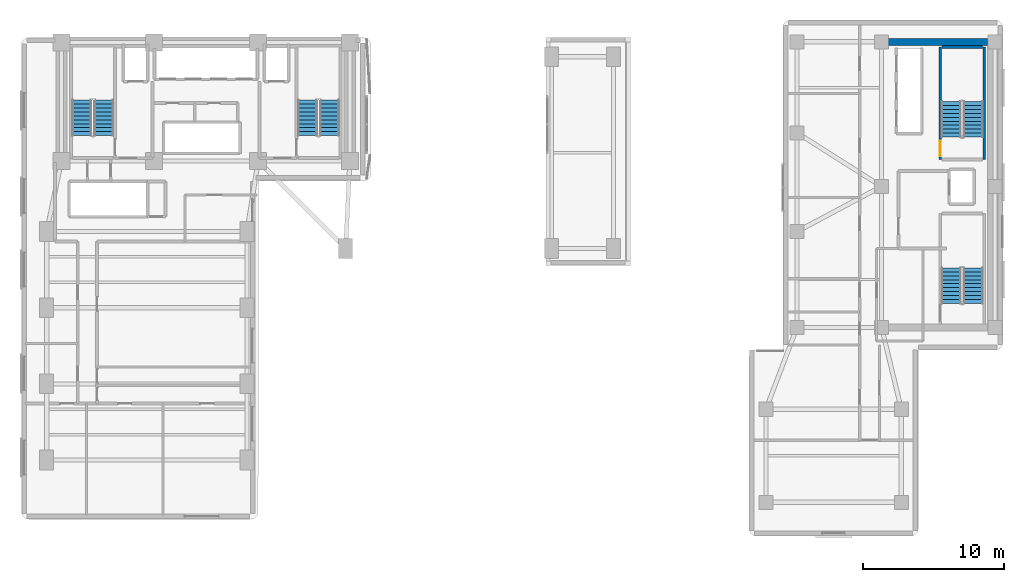
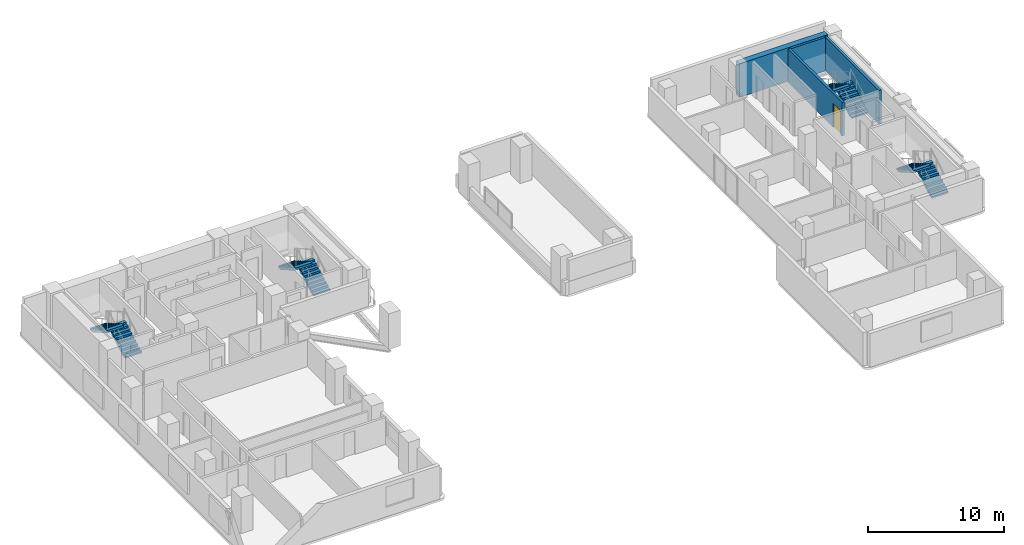
# One storey, part 11 of 14: 8 stair flights, 4 walls, 1 door, 1 opening, 4 elements without a shape of their own.
"""IFC4 building model written with IfcOpenShell, lengths in metres."""

from ifc_helpers import new_model, si_unit, direction, frame, frame_2d, origin, place, context, subcontext, project, spatial, polyline, rectangle, outline, extrude, material, layer, layer_set, type_object, element, fill, aggregate, save


model = new_model("IFC4")

# Units and contexts
model_context = context("Model", 3, precision=1e-05, world=origin(), true_north=direction((0.0, 1.0)))
body_context = subcontext(model_context, "Body", "Model", "MODEL_VIEW")
ifc_project = project(units=[si_unit("LENGTHUNIT", "METRE"), si_unit("AREAUNIT", "SQUARE_METRE"), si_unit("VOLUMEUNIT", "CUBIC_METRE"), si_unit("PLANEANGLEUNIT", "RADIAN"), si_unit("MASSUNIT", "GRAM", prefix="KILO")], contexts=[model_context])

# Site, building, storey
site_placement = place(None, origin())
site = spatial("IfcSite", under=ifc_project, at=site_placement, CompositionType="ELEMENT")
building_placement = place(site_placement, origin())
building = spatial("IfcBuilding", under=site, at=building_placement, Name="Kuzgunbayir Cultural Tower", CompositionType="ELEMENT")
storey_placement = place(building_placement, frame((0.0, 0.0, 33.39990234375)))
storey = spatial("IfcBuildingStorey", under=building, at=storey_placement, Name="L08", CompositionType="ELEMENT", Elevation=33.39990234375)

# Wall, opening, door
ifc_material_1 = material(Name="Concrete C40/50", Category="concrete")
ifc_layer_1 = layer(ifc_material_1, 0.199951171875)
ifc_layer_set_1 = layer_set([ifc_layer_1], Name="Concrete C40/50")
wall_type_1 = type_object("IfcWallType", Name="WAL-STAIR-RC-200", PredefinedType="SHEAR", material=ifc_layer_set_1)
wall_1_placement = place(storey_placement, frame((68.760009765625, 33.919921875, 0.0), z_axis=(0.0, 0.0, 1.0), x_axis=(0.0, 1.0, 0.0)))
wall_1 = element("IfcWall", 1, at=wall_1_placement, inside=storey, type_object=wall_type_1, Name="L08 Stair ST-4 West Structural Wall", PredefinedType="SHEAR", context=body_context, shape_type="SweptSolid", body=[
    extrude(rectangle(XDim=7.9599609375, YDim=0.199951171875, at=frame_2d((3.97998046875, 0.0))), origin(), (0.0, 0.0, 1.0), 3.02001953125),
])
opening_placement = place(wall_1_placement, frame((0.219970703125, 0.0, 0.0)))
opening = element("IfcOpeningElement", 2, at=opening_placement, cuts=wall_1, Name="Opening DR-STAIR-90", PredefinedType="OPENING", context=body_context, shape_type="SweptSolid", body=[
    extrude(rectangle(XDim=1.10009765625, YDim=2.14990234375, at=frame_2d((0.550048828125, 1.074951171875))), frame((0.0, 0.10986328125, 0.0), z_axis=(0.0, -1.0, 0.0), x_axis=(1.0, 0.0, 0.0)), (0.0, 0.0, 1.0), 0.219970703125),
])
ifc_material_2 = material(Name="Steel S355J2", Category="steel")
door_type = type_object("IfcDoorType", Name="DR-STAIR-90", OperationType="NOTDEFINED", PredefinedType="DOOR", material=ifc_material_2)
door_placement = place(opening_placement, origin())
door = element("IfcDoor", 3, at=door_placement, inside=storey, type_object=door_type, Name="L08 Stair ST-4 Fire Door", OperationType="SINGLE_SWING_LEFT", OverallHeight=2.14990234375, OverallWidth=1.10009765625, PredefinedType="DOOR", context=body_context, shape_type="SweptSolid", body=[
    extrude(rectangle(XDim=1.10009765625, YDim=2.14990234375, at=frame_2d((0.550048828125, 1.074951171875))), frame((0.0, 0.02490234375, 0.0), z_axis=(0.0, -1.0, 0.0), x_axis=(1.0, 0.0, 0.0)), (0.0, 0.0, 1.0), 0.050048828125),
])
fill(opening, door)

# Walls
wall_2_placement = place(storey_placement, frame((71.8798828125, 33.919921875, 0.0), z_axis=(0.0, 0.0, 1.0), x_axis=(0.0, 1.0, 0.0)))
element("IfcWall", 4, at=wall_2_placement, inside=storey, type_object=wall_type_1, Name="L08 Stair ST-4 East Structural Wall", PredefinedType="SHEAR", context=body_context, shape_type="SweptSolid", body=[
    extrude(rectangle(XDim=7.9599609375, YDim=0.199951171875, at=frame_2d((3.97998046875, 0.0))), origin(), (0.0, 0.0, 1.0), 3.02001953125),
])
wall_3_placement = place(storey_placement, frame((68.8798828125, 41.8798828125, 0.0), z_axis=(0.0, 0.0, 1.0), x_axis=(1.0, 0.0, 0.0)))
element("IfcWall", 5, at=wall_3_placement, inside=storey, type_object=wall_type_1, Name="L08 Stair ST-4 North Structural Wall", PredefinedType="SHEAR", context=body_context, shape_type="SweptSolid", body=[
    extrude(rectangle(XDim=2.880126953125, YDim=0.199951171875, at=frame_2d((1.43994140625, 0.0))), origin(), (0.0, 0.0, 1.0), 3.02001953125),
])
ifc_material_3 = material(Name="Concrete C60/75", Category="concrete")
ifc_layer_2 = layer(ifc_material_3, 0.5)
ifc_layer_set_2 = layer_set([ifc_layer_2], Name="Concrete C60/75")
wall_type_2 = type_object("IfcWallType", Name="WAL-T2-CORE-500", PredefinedType="SHEAR", material=ifc_layer_set_2)
wall_4_placement = place(storey_placement, frame((64.60009765625, 42.25, 0.0), z_axis=(0.0, 0.0, 1.0), x_axis=(1.0, 0.0, 0.0)))
element("IfcWall", 6, at=wall_4_placement, inside=storey, type_object=wall_type_2, Name="L08 Companion Core North Shear Wall", PredefinedType="SHEAR", context=body_context, shape_type="SweptSolid", body=[
    extrude(rectangle(XDim=7.5, YDim=0.5, at=frame_2d((3.75, 0.0))), origin(), (0.0, 0.0, 1.0), 3.02001953125),
])

# Stair, stair flights
stair_type = type_object("IfcStairType", Name="STR-EXIT-CORE", PredefinedType="HALF_TURN_STAIR", material=ifc_material_1)
stair_1_placement = place(storey_placement, origin())
stair_1 = element("IfcStair", 7, at=stair_1_placement, inside=storey, type_object=stair_type, Name="L08 ST-1", PredefinedType="HALF_TURN_STAIR")
stair_flight_type = type_object("IfcStairFlightType", Name="STRF-RC-140", PredefinedType="STRAIGHT", material=ifc_material_1)
stair_flight_1_placement = place(storey_placement, frame((9.4599609375, 35.60009765625, 0.0), z_axis=(0.0, 0.0, 1.0), x_axis=(0.0, 1.0, 0.0)))
stair_flight_1 = element("IfcStairFlight", 8, at=stair_flight_1_placement, type_object=stair_flight_type, Name="ST-1 flight 1", NumberOfRisers=10, NumberOfTreads=9, PredefinedType="STRAIGHT", RiserHeight=0.16, TreadLength=0.28, context=body_context, shape_type="SweptSolid", body=[
    extrude(outline(polyline([(0.0, 0.0), (0.0, 0.159912109375), (0.280029296875, 0.159912109375), (0.280029296875, 0.320068359375), (0.56005859375, 0.320068359375), (0.56005859375, 0.47998046875), (0.840087890625, 0.47998046875), (0.840087890625, 0.639892578125), (1.1201171875, 0.639892578125), (1.1201171875, 0.800048828125), (1.39990234375, 0.800048828125), (1.39990234375, 0.9599609375), (1.679931640625, 0.9599609375), (1.679931640625, 1.1201171875), (1.9599609375, 1.1201171875), (1.9599609375, 1.280029296875), (2.239990234375, 1.280029296875), (2.239990234375, 1.43994140625), (2.52001953125, 1.43994140625), (2.52001953125, 1.60009765625), (2.52001953125, 1.232666015625), (0.362548828125, 0.0), (0.0, 0.0)])), frame((0.0, 0.699951171875, 0.0), z_axis=(0.0, -1.0, 0.0), x_axis=(1.0, 0.0, 0.0)), (0.0, 0.0, 1.0), 1.39990234375),
])
stair_flight_2_placement = place(storey_placement, frame((7.89990234375, 38.1201171875, 1.60009765625), z_axis=(0.0, 0.0, 1.0), x_axis=(0.0, -1.0, 0.0)))
stair_flight_2 = element("IfcStairFlight", 9, at=stair_flight_2_placement, type_object=stair_flight_type, Name="ST-1 flight 2", NumberOfRisers=10, NumberOfTreads=9, PredefinedType="STRAIGHT", RiserHeight=0.16, TreadLength=0.28, context=body_context, shape_type="SweptSolid", body=[
    extrude(outline(polyline([(0.0, 0.0), (0.0, 0.159912109375), (0.280029296875, 0.159912109375), (0.280029296875, 0.320068359375), (0.56005859375, 0.320068359375), (0.56005859375, 0.47998046875), (0.840087890625, 0.47998046875), (0.840087890625, 0.639892578125), (1.1201171875, 0.639892578125), (1.1201171875, 0.800048828125), (1.39990234375, 0.800048828125), (1.39990234375, 0.9599609375), (1.679931640625, 0.9599609375), (1.679931640625, 1.1201171875), (1.9599609375, 1.1201171875), (1.9599609375, 1.280029296875), (2.239990234375, 1.280029296875), (2.239990234375, 1.43994140625), (2.52001953125, 1.43994140625), (2.52001953125, 1.60009765625), (2.52001953125, 1.232666015625), (0.362548828125, 0.0), (0.0, 0.0)])), frame((0.0, 0.699951171875, 0.0), z_axis=(0.0, -1.0, 0.0), x_axis=(1.0, 0.0, 0.0)), (0.0, 0.0, 1.0), 1.39990234375),
])
aggregate(stair_1, [stair_flight_1, stair_flight_2])

stair_2_placement = place(storey_placement, origin())
stair_2 = element("IfcStair", 10, at=stair_2_placement, inside=storey, type_object=stair_type, Name="L08 ST-2", PredefinedType="HALF_TURN_STAIR")
stair_flight_3_placement = place(storey_placement, frame((25.4599609375, 35.60009765625, 0.0), z_axis=(0.0, 0.0, 1.0), x_axis=(0.0, 1.0, 0.0)))
stair_flight_3 = element("IfcStairFlight", 11, at=stair_flight_3_placement, type_object=stair_flight_type, Name="ST-2 flight 1", NumberOfRisers=10, NumberOfTreads=9, PredefinedType="STRAIGHT", RiserHeight=0.16, TreadLength=0.28, context=body_context, shape_type="SweptSolid", body=[
    extrude(outline(polyline([(0.0, 0.0), (0.0, 0.159912109375), (0.280029296875, 0.159912109375), (0.280029296875, 0.320068359375), (0.56005859375, 0.320068359375), (0.56005859375, 0.47998046875), (0.840087890625, 0.47998046875), (0.840087890625, 0.639892578125), (1.1201171875, 0.639892578125), (1.1201171875, 0.800048828125), (1.39990234375, 0.800048828125), (1.39990234375, 0.9599609375), (1.679931640625, 0.9599609375), (1.679931640625, 1.1201171875), (1.9599609375, 1.1201171875), (1.9599609375, 1.280029296875), (2.239990234375, 1.280029296875), (2.239990234375, 1.43994140625), (2.52001953125, 1.43994140625), (2.52001953125, 1.60009765625), (2.52001953125, 1.232666015625), (0.362548828125, 0.0), (0.0, 0.0)])), frame((0.0, 0.699951171875, 0.0), z_axis=(0.0, -1.0, 0.0), x_axis=(1.0, 0.0, 0.0)), (0.0, 0.0, 1.0), 1.39990234375),
])
stair_flight_4_placement = place(storey_placement, frame((23.89990234375, 38.1201171875, 1.60009765625), z_axis=(0.0, 0.0, 1.0), x_axis=(0.0, -1.0, 0.0)))
stair_flight_4 = element("IfcStairFlight", 12, at=stair_flight_4_placement, type_object=stair_flight_type, Name="ST-2 flight 2", NumberOfRisers=10, NumberOfTreads=9, PredefinedType="STRAIGHT", RiserHeight=0.16, TreadLength=0.28, context=body_context, shape_type="SweptSolid", body=[
    extrude(outline(polyline([(0.0, 0.0), (0.0, 0.159912109375), (0.280029296875, 0.159912109375), (0.280029296875, 0.320068359375), (0.56005859375, 0.320068359375), (0.56005859375, 0.47998046875), (0.840087890625, 0.47998046875), (0.840087890625, 0.639892578125), (1.1201171875, 0.639892578125), (1.1201171875, 0.800048828125), (1.39990234375, 0.800048828125), (1.39990234375, 0.9599609375), (1.679931640625, 0.9599609375), (1.679931640625, 1.1201171875), (1.9599609375, 1.1201171875), (1.9599609375, 1.280029296875), (2.239990234375, 1.280029296875), (2.239990234375, 1.43994140625), (2.52001953125, 1.43994140625), (2.52001953125, 1.60009765625), (2.52001953125, 1.232666015625), (0.362548828125, 0.0), (0.0, 0.0)])), frame((0.0, 0.699951171875, 0.0), z_axis=(0.0, -1.0, 0.0), x_axis=(1.0, 0.0, 0.0)), (0.0, 0.0, 1.0), 1.39990234375),
])
aggregate(stair_2, [stair_flight_3, stair_flight_4])

stair_3_placement = place(storey_placement, origin())
stair_3 = element("IfcStair", 13, at=stair_3_placement, inside=storey, type_object=stair_type, Name="L08 ST-3", PredefinedType="HALF_TURN_STAIR")
stair_flight_5_placement = place(storey_placement, frame((71.10009765625, 23.699951171875, 0.0), z_axis=(0.0, 0.0, 1.0), x_axis=(0.0, 1.0, 0.0)))
stair_flight_5 = element("IfcStairFlight", 14, at=stair_flight_5_placement, type_object=stair_flight_type, Name="ST-3 flight 1", NumberOfRisers=10, NumberOfTreads=9, PredefinedType="STRAIGHT", RiserHeight=0.16, TreadLength=0.28, context=body_context, shape_type="SweptSolid", body=[
    extrude(outline(polyline([(0.0, 0.0), (0.0, 0.159912109375), (0.280029296875, 0.159912109375), (0.280029296875, 0.320068359375), (0.56005859375, 0.320068359375), (0.56005859375, 0.47998046875), (0.840087890625, 0.47998046875), (0.840087890625, 0.639892578125), (1.1201171875, 0.639892578125), (1.1201171875, 0.800048828125), (1.39990234375, 0.800048828125), (1.39990234375, 0.9599609375), (1.679931640625, 0.9599609375), (1.679931640625, 1.1201171875), (1.9599609375, 1.1201171875), (1.9599609375, 1.280029296875), (2.239990234375, 1.280029296875), (2.239990234375, 1.43994140625), (2.52001953125, 1.43994140625), (2.52001953125, 1.60009765625), (2.52001953125, 1.232666015625), (0.362548828125, 0.0), (0.0, 0.0)])), frame((0.0, 0.699951171875, 0.0), z_axis=(0.0, -1.0, 0.0), x_axis=(1.0, 0.0, 0.0)), (0.0, 0.0, 1.0), 1.39990234375),
])
stair_flight_6_placement = place(storey_placement, frame((69.5400390625, 26.219970703125, 1.60009765625), z_axis=(0.0, 0.0, 1.0), x_axis=(0.0, -1.0, 0.0)))
stair_flight_6 = element("IfcStairFlight", 15, at=stair_flight_6_placement, type_object=stair_flight_type, Name="ST-3 flight 2", NumberOfRisers=10, NumberOfTreads=9, PredefinedType="STRAIGHT", RiserHeight=0.16, TreadLength=0.28, context=body_context, shape_type="SweptSolid", body=[
    extrude(outline(polyline([(0.0, 0.0), (0.0, 0.159912109375), (0.280029296875, 0.159912109375), (0.280029296875, 0.320068359375), (0.56005859375, 0.320068359375), (0.56005859375, 0.47998046875), (0.840087890625, 0.47998046875), (0.840087890625, 0.639892578125), (1.1201171875, 0.639892578125), (1.1201171875, 0.800048828125), (1.39990234375, 0.800048828125), (1.39990234375, 0.9599609375), (1.679931640625, 0.9599609375), (1.679931640625, 1.1201171875), (1.9599609375, 1.1201171875), (1.9599609375, 1.280029296875), (2.239990234375, 1.280029296875), (2.239990234375, 1.43994140625), (2.52001953125, 1.43994140625), (2.52001953125, 1.60009765625), (2.52001953125, 1.232666015625), (0.362548828125, 0.0), (0.0, 0.0)])), frame((0.0, 0.699951171875, 0.0), z_axis=(0.0, -1.0, 0.0), x_axis=(1.0, 0.0, 0.0)), (0.0, 0.0, 1.0), 1.39990234375),
])
aggregate(stair_3, [stair_flight_5, stair_flight_6])

stair_4_placement = place(storey_placement, origin())
stair_4 = element("IfcStair", 16, at=stair_4_placement, inside=storey, type_object=stair_type, Name="L08 ST-4", PredefinedType="HALF_TURN_STAIR")
stair_flight_7_placement = place(storey_placement, frame((71.10009765625, 35.5, 0.0), z_axis=(0.0, 0.0, 1.0), x_axis=(0.0, 1.0, 0.0)))
stair_flight_7 = element("IfcStairFlight", 17, at=stair_flight_7_placement, type_object=stair_flight_type, Name="ST-4 flight 1", NumberOfRisers=10, NumberOfTreads=9, PredefinedType="STRAIGHT", RiserHeight=0.16, TreadLength=0.28, context=body_context, shape_type="SweptSolid", body=[
    extrude(outline(polyline([(0.0, 0.0), (0.0, 0.159912109375), (0.280029296875, 0.159912109375), (0.280029296875, 0.320068359375), (0.56005859375, 0.320068359375), (0.56005859375, 0.47998046875), (0.840087890625, 0.47998046875), (0.840087890625, 0.639892578125), (1.1201171875, 0.639892578125), (1.1201171875, 0.800048828125), (1.39990234375, 0.800048828125), (1.39990234375, 0.9599609375), (1.679931640625, 0.9599609375), (1.679931640625, 1.1201171875), (1.9599609375, 1.1201171875), (1.9599609375, 1.280029296875), (2.239990234375, 1.280029296875), (2.239990234375, 1.43994140625), (2.52001953125, 1.43994140625), (2.52001953125, 1.60009765625), (2.52001953125, 1.232666015625), (0.362548828125, 0.0), (0.0, 0.0)])), frame((0.0, 0.699951171875, 0.0), z_axis=(0.0, -1.0, 0.0), x_axis=(1.0, 0.0, 0.0)), (0.0, 0.0, 1.0), 1.39990234375),
])
stair_flight_8_placement = place(storey_placement, frame((69.5400390625, 38.02001953125, 1.60009765625), z_axis=(0.0, 0.0, 1.0), x_axis=(0.0, -1.0, 0.0)))
stair_flight_8 = element("IfcStairFlight", 18, at=stair_flight_8_placement, type_object=stair_flight_type, Name="ST-4 flight 2", NumberOfRisers=10, NumberOfTreads=9, PredefinedType="STRAIGHT", RiserHeight=0.16, TreadLength=0.28, context=body_context, shape_type="SweptSolid", body=[
    extrude(outline(polyline([(0.0, 0.0), (0.0, 0.159912109375), (0.280029296875, 0.159912109375), (0.280029296875, 0.320068359375), (0.56005859375, 0.320068359375), (0.56005859375, 0.47998046875), (0.840087890625, 0.47998046875), (0.840087890625, 0.639892578125), (1.1201171875, 0.639892578125), (1.1201171875, 0.800048828125), (1.39990234375, 0.800048828125), (1.39990234375, 0.9599609375), (1.679931640625, 0.9599609375), (1.679931640625, 1.1201171875), (1.9599609375, 1.1201171875), (1.9599609375, 1.280029296875), (2.239990234375, 1.280029296875), (2.239990234375, 1.43994140625), (2.52001953125, 1.43994140625), (2.52001953125, 1.60009765625), (2.52001953125, 1.232666015625), (0.362548828125, 0.0), (0.0, 0.0)])), frame((0.0, 0.699951171875, 0.0), z_axis=(0.0, -1.0, 0.0), x_axis=(1.0, 0.0, 0.0)), (0.0, 0.0, 1.0), 1.39990234375),
])
aggregate(stair_4, [stair_flight_7, stair_flight_8])

save(model, "model.ifc")
